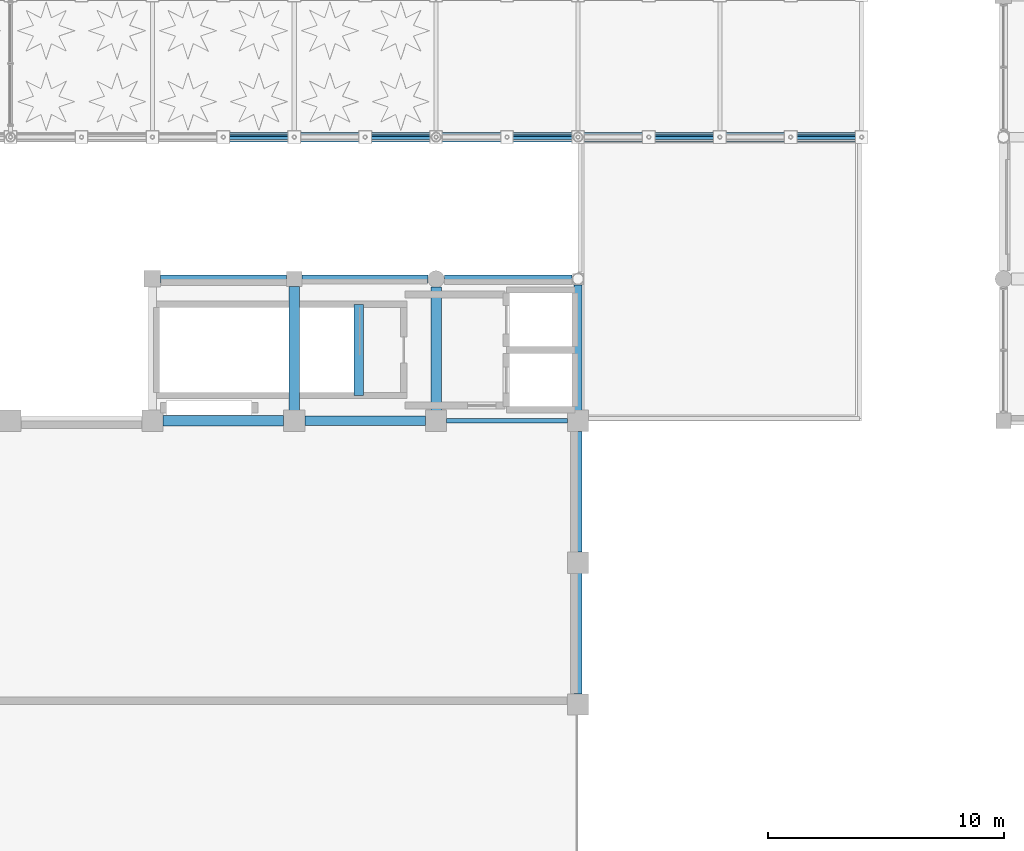
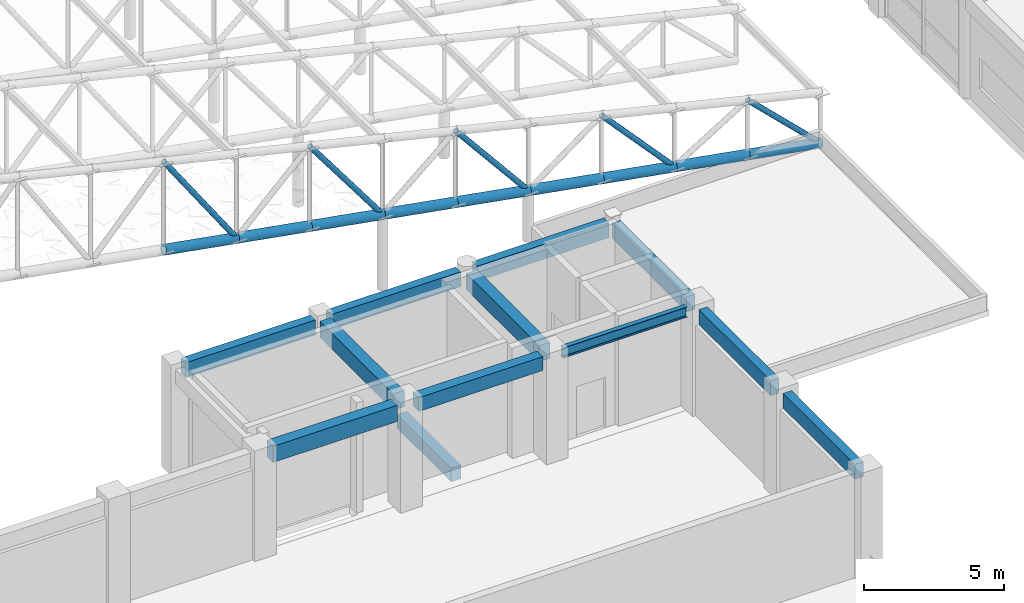
# One storey, part 56 of 112: 14 members, 12 beams.
"""IFC4 building model written with IfcOpenShell, lengths in metres."""

from ifc_helpers import new_model, si_unit, direction, frame, origin, origin_2d, place, context, subcontext, project, spatial, rectangle, hollow_circle, i_section, extrude, material, material_profile, profile_set, type_object, element, save


model = new_model("IFC4")

# Units and contexts
model_context = context("Model", 3, precision=1e-05, world=origin(), true_north=direction((0.0, 1.0)))
body_context = subcontext(model_context, "Body", "Model", "MODEL_VIEW")
ifc_project = project(units=[si_unit("LENGTHUNIT", "METRE"), si_unit("AREAUNIT", "SQUARE_METRE"), si_unit("VOLUMEUNIT", "CUBIC_METRE"), si_unit("PLANEANGLEUNIT", "RADIAN"), si_unit("MASSUNIT", "GRAM", prefix="KILO"), si_unit("THERMODYNAMICTEMPERATUREUNIT", "KELVIN"), si_unit("POWERUNIT", "WATT")], contexts=[model_context])

# Site, building, storey
site_placement = place(None, origin())
site = spatial("IfcSite", under=ifc_project, at=site_placement, CompositionType="ELEMENT")
building_placement = place(site_placement, origin())
building = spatial("IfcBuilding", under=site, at=building_placement, Name="Phaisarnlok Congress Hotel", CompositionType="ELEMENT")
storey_placement = place(building_placement, frame((0.0, 0.0, 19.800048828125)))
storey = spatial("IfcBuildingStorey", under=building, at=storey_placement, Name="L04", CompositionType="ELEMENT", Elevation=19.800048828125)

# Beams
ifc_material_1 = material(Name="Concrete C40/50", Category="concrete")
ifc_material_profile_1 = material_profile(ifc_material_1, rectangle(XDim=0.39990234375, YDim=0.60009765625, at=origin_2d()), Name="RC 400x600")
ifc_profile_set_1 = profile_set([ifc_material_profile_1], Name="Concrete C40/50")
beam_type_1 = type_object("IfcBeamType", Name="BM-RC-400x600", PredefinedType="BEAM", material=ifc_profile_set_1)
beam_1_placement = place(storey_placement, frame((132.445068359375, 36.0, 4.260009765625), z_axis=(1.0, 0.0, 0.0), x_axis=(0.0, 1.0, 0.0)))
element("IfcBeam", 1, at=beam_1_placement, inside=storey, type_object=beam_type_1, Name="Beam B-02", PredefinedType="BEAM", context=body_context, shape_type="SweptSolid", body=[
    extrude(rectangle(XDim=0.39990234375, YDim=0.60009765625, at=origin_2d()), origin(), (0.0, 0.0, 1.0), 5.10986328125),
])
beam_2_placement = place(storey_placement, frame((134.719970703125, 37.080078125, -0.300048828125), z_axis=(0.0, 1.0, 0.0), x_axis=(-1.0, 0.0, 0.0)))
element("IfcBeam", 2, at=beam_2_placement, inside=storey, type_object=beam_type_1, Name="Stair landing header beam B-02 (CORE-6 L04)", PredefinedType="BEAM", context=body_context, shape_type="SweptSolid", body=[
    extrude(rectangle(XDim=0.39990234375, YDim=0.60009765625, at=origin_2d()), origin(), (0.0, 0.0, 1.0), 3.83984375),
])
ifc_material_profile_2 = material_profile(ifc_material_1, rectangle(XDim=0.449951171875, YDim=0.699951171875, at=origin_2d()), Name="RC 450x700")
ifc_profile_set_2 = profile_set([ifc_material_profile_2], Name="Concrete C40/50")
beam_type_2 = type_object("IfcBeamType", Name="BM-RC-450x700", PredefinedType="BEAM", material=ifc_profile_set_2)
beam_3_placement = place(storey_placement, frame((126.445068359375, 36.0, 4.2099609375), z_axis=(1.0, 0.0, 0.0), x_axis=(0.0, 1.0, 0.0)))
element("IfcBeam", 3, at=beam_3_placement, inside=storey, type_object=beam_type_2, Name="Beam B-03", PredefinedType="BEAM", context=body_context, shape_type="SweptSolid", body=[
    extrude(rectangle(XDim=0.449951171875, YDim=0.699951171875, at=origin_2d()), origin(), (0.0, 0.0, 1.0), 5.10986328125),
])
beam_4_placement = place(storey_placement, frame((132.0, 36.445068359375, 4.2099609375), z_axis=(0.0, 1.0, 0.0), x_axis=(-1.0, 0.0, 0.0)))
element("IfcBeam", 4, at=beam_4_placement, inside=storey, type_object=beam_type_2, Name="Beam B-03", PredefinedType="BEAM", context=body_context, shape_type="SweptSolid", body=[
    extrude(rectangle(XDim=0.449951171875, YDim=0.699951171875, at=origin_2d()), origin(), (0.0, 0.0, 1.0), 5.23486328125),
])
beam_5_placement = place(storey_placement, frame((138.0, 36.445068359375, 4.2099609375), z_axis=(0.0, 1.0, 0.0), x_axis=(-1.0, 0.0, 0.0)))
element("IfcBeam", 5, at=beam_5_placement, inside=storey, type_object=beam_type_2, Name="Beam B-03", PredefinedType="BEAM", context=body_context, shape_type="SweptSolid", body=[
    extrude(rectangle(XDim=0.449951171875, YDim=0.699951171875, at=origin_2d()), origin(), (0.0, 0.0, 1.0), 5.2099609375),
])
ifc_material_2 = material(Name="Steel S355", Category="steel")
ifc_material_profile_3 = material_profile(ifc_material_2, i_section(OverallWidth=0.18994140625, OverallDepth=0.449951171875, WebThickness=0.009521484375, FlangeThickness=0.0146484375, FilletRadius=0.02099609375, at=origin_2d()), Name="IPE 450")
ifc_profile_set_3 = profile_set([ifc_material_profile_3], Name="Steel S355")
beam_type_3 = type_object("IfcBeamType", Name="BM-STL-IPE450", PredefinedType="BEAM", material=ifc_profile_set_3)
beam_6_placement = place(storey_placement, frame((138.445068359375, 36.0, 4.3349609375), z_axis=(1.0, 0.0, 0.0), x_axis=(0.0, 1.0, 0.0)))
element("IfcBeam", 6, at=beam_6_placement, inside=storey, type_object=beam_type_3, Name="Beam SB-01", PredefinedType="BEAM", context=body_context, shape_type="SweptSolid", body=[
    extrude(i_section(OverallWidth=0.18994140625, OverallDepth=0.449951171875, WebThickness=0.009521484375, FlangeThickness=0.0146484375, FilletRadius=0.02099609375, at=origin_2d()), origin(), (0.0, 0.0, 1.0), 5.10986328125),
])

# Members
ifc_material_profile_4 = material_profile(ifc_material_2, hollow_circle(Radius=0.109619140625, WallThickness=0.012451171875, at=origin_2d()), Name="CHS 219.1x12.5")
ifc_profile_set_4 = profile_set([ifc_material_profile_4], Name="Steel S355")
member_type_1 = type_object("IfcMemberType", Name="MEM-BRC-CHS219", PredefinedType="BRACE", material=ifc_profile_set_4)
member_1_placement = place(storey_placement, frame((156.0, 48.0, 0.0), z_axis=(-0.717072690854, 0.0, 0.696998390264), x_axis=(0.0, -1.0, 0.0)))
element("IfcMember", 7, at=member_1_placement, inside=storey, type_object=member_type_1, Name="Cloister wing roof truss diagonal brace", PredefinedType="BRACE", context=body_context, shape_type="SweptSolid", body=[
    extrude(hollow_circle(Radius=0.109619140625, WallThickness=0.012451171875, at=origin_2d()), origin(), (0.0, 0.0, 1.0), 4.18359375),
])
member_2_placement = place(storey_placement, frame((150.0, 48.0, 1.066650390625), z_axis=(-0.674741853636, 0.0, 0.738053813046), x_axis=(0.0, -1.0, 0.0)))
element("IfcMember", 8, at=member_2_placement, inside=storey, type_object=member_type_1, Name="Cloister wing roof truss diagonal brace", PredefinedType="BRACE", context=body_context, shape_type="SweptSolid", body=[
    extrude(hollow_circle(Radius=0.109619140625, WallThickness=0.012451171875, at=origin_2d()), origin(), (0.0, 0.0, 1.0), 4.446044921875),
])
member_3_placement = place(storey_placement, frame((144.0, 48.0, 2.13330078125), z_axis=(-0.635279491177, 0.0, 0.772282311133), x_axis=(0.0, -1.0, 0.0)))
element("IfcMember", 9, at=member_3_placement, inside=storey, type_object=member_type_1, Name="Cloister wing roof truss diagonal brace", PredefinedType="BRACE", context=body_context, shape_type="SweptSolid", body=[
    extrude(hollow_circle(Radius=0.109619140625, WallThickness=0.012451171875, at=origin_2d()), origin(), (0.0, 0.0, 1.0), 4.722412109375),
])
member_4_placement = place(storey_placement, frame((138.0, 48.0, 3.199951171875), z_axis=(-0.598806398303, 0.0, 0.800893811533), x_axis=(0.0, -1.0, 0.0)))
element("IfcMember", 10, at=member_4_placement, inside=storey, type_object=member_type_1, Name="Cloister wing roof truss diagonal brace", PredefinedType="BRACE", context=body_context, shape_type="SweptSolid", body=[
    extrude(hollow_circle(Radius=0.109619140625, WallThickness=0.012451171875, at=origin_2d()), origin(), (0.0, 0.0, 1.0), 5.010009765625),
])
member_5_placement = place(storey_placement, frame((132.0, 48.0, 4.2666015625), z_axis=(-0.565292311671, 0.0, 0.824890660855), x_axis=(0.0, -1.0, 0.0)))
element("IfcMember", 11, at=member_5_placement, inside=storey, type_object=member_type_1, Name="Cloister wing roof truss diagonal brace", PredefinedType="BRACE", context=body_context, shape_type="SweptSolid", body=[
    extrude(hollow_circle(Radius=0.109619140625, WallThickness=0.012451171875, at=origin_2d()), origin(), (0.0, 0.0, 1.0), 5.306884765625),
])
ifc_material_profile_5 = material_profile(ifc_material_2, hollow_circle(Radius=0.203125, WallThickness=0.02001953125, at=origin_2d()), Name="CHS 406.4x20")
ifc_profile_set_5 = profile_set([ifc_material_profile_5], Name="Steel S355")
member_type_2 = type_object("IfcMemberType", Name="MEM-CHD-CHS406", PredefinedType="CHORD", material=ifc_profile_set_5)
for number, where, z_axis, x_axis, name in (
    (12, (156.0, 48.0, 0.0), (-0.984569871158, 0.0, 0.174991910694), (0.0, -1.0, 0.0), "Cloister wing roof truss bottom chord"),
    (13, (153.0, 48.0, 0.533203125), (-0.984556063496, 0.0, 0.175069579976), (0.0, -1.0, 0.0), "Cloister wing roof truss bottom chord"),
    (14, (150.0, 48.0, 1.066650390625), (-0.984569871158, 0.0, 0.174991910694), (0.0, -1.0, 0.0), "Cloister wing roof truss bottom chord"),
    (15, (147.0, 48.0, 1.599853515625), (-0.984556063496, 0.0, 0.175069579976), (0.0, -1.0, 0.0), "Cloister wing roof truss bottom chord"),
    (16, (144.0, 48.0, 2.13330078125), (-0.984569871158, 0.0, 0.174991910694), (0.0, -1.0, 0.0), "Cloister wing roof truss bottom chord"),
    (17, (141.0, 48.0, 2.66650390625), (-0.984556063496, 0.0, 0.175069579976), (0.0, -1.0, 0.0), "Cloister wing roof truss bottom chord"),
    (18, (138.0, 48.0, 3.199951171875), (-0.984556063496, 0.0, 0.175069579976), (0.0, -1.0, 0.0), "Cloister wing roof truss bottom chord"),
    (19, (135.0, 48.0, 3.7333984375), (-0.984569871158, 0.0, 0.174991910694), (0.0, -1.0, 0.0), "Cloister wing roof truss bottom chord"),
    (20, (132.0, 48.0, 4.2666015625), (-0.984556063496, 0.0, 0.175069579976), (0.0, -1.0, 0.0), "Cloister wing roof truss bottom chord"),
):
    element("IfcMember", number, at=place(storey_placement, frame(where, z_axis=z_axis, x_axis=x_axis)), inside=storey, type_object=member_type_2, Name=name, PredefinedType="CHORD", context=body_context, shape_type="SweptSolid", body=[
        extrude(hollow_circle(Radius=0.203125, WallThickness=0.02001953125, at=origin_2d()), origin(), (0.0, 0.0, 1.0), 3.047119140625),
    ])

# Beams
ifc_material_profile_6 = material_profile(ifc_material_1, rectangle(XDim=0.35009765625, YDim=0.64990234375, at=origin_2d()), Name="RC 350x650")
ifc_profile_set_6 = profile_set([ifc_material_profile_6], Name="Concrete C40/50")
beam_type_4 = type_object("IfcBeamType", Name="SP-RC-350x650", PredefinedType="SPANDREL", material=ifc_profile_set_6)
for number, where, z_axis, x_axis, name in (
    (21, (126.344970703125, 42.0, 4.23486328125), (1.0, 0.0, 0.0), (0.0, 1.0, 0.0), "Beam SP-01"),
    (22, (132.320068359375, 42.0, 4.23486328125), (1.0, 0.0, 0.0), (0.0, 1.0, 0.0), "Beam SP-01"),
):
    element("IfcBeam", number, at=place(storey_placement, frame(where, z_axis=z_axis, x_axis=x_axis)), inside=storey, type_object=beam_type_4, Name=name, PredefinedType="SPANDREL", context=body_context, shape_type="SweptSolid", body=[
        extrude(rectangle(XDim=0.35009765625, YDim=0.64990234375, at=origin_2d()), origin(), (0.0, 0.0, 1.0), 5.3349609375),
    ])
beam_7_placement = place(storey_placement, frame((138.344970703125, 42.0, 4.23486328125), z_axis=(1.0, 0.0, 0.0), x_axis=(0.0, 1.0, 0.0)))
element("IfcBeam", 23, at=beam_7_placement, inside=storey, type_object=beam_type_4, Name="Beam SP-01", PredefinedType="SPANDREL", context=body_context, shape_type="SweptSolid", body=[
    extrude(rectangle(XDim=0.35009765625, YDim=0.64990234375, at=origin_2d()), origin(), (0.0, 0.0, 1.0), 5.406005859375),
])
for number, where, z_axis, x_axis, name in (
    (24, (144.0, 24.445068359375, 4.23486328125), (0.0, 1.0, 0.0), (-1.0, 0.0, 0.0), "Beam SP-01"),
    (25, (144.0, 30.445068359375, 4.23486328125), (0.0, 1.0, 0.0), (-1.0, 0.0, 0.0), "Beam SP-01"),
):
    element("IfcBeam", number, at=place(storey_placement, frame(where, z_axis=z_axis, x_axis=x_axis)), inside=storey, type_object=beam_type_4, Name=name, PredefinedType="SPANDREL", context=body_context, shape_type="SweptSolid", body=[
        extrude(rectangle(XDim=0.35009765625, YDim=0.64990234375, at=origin_2d()), origin(), (0.0, 0.0, 1.0), 5.10986328125),
    ])
beam_8_placement = place(storey_placement, frame((144.0, 36.445068359375, 4.23486328125), z_axis=(0.0, 1.0, 0.0), x_axis=(-1.0, 0.0, 0.0)))
element("IfcBeam", 26, at=beam_8_placement, inside=storey, type_object=beam_type_4, Name="Beam SP-01", PredefinedType="SPANDREL", context=body_context, shape_type="SweptSolid", body=[
    extrude(rectangle(XDim=0.35009765625, YDim=0.64990234375, at=origin_2d()), origin(), (0.0, 0.0, 1.0), 5.305908203125),
])

save(model, "model.ifc")
